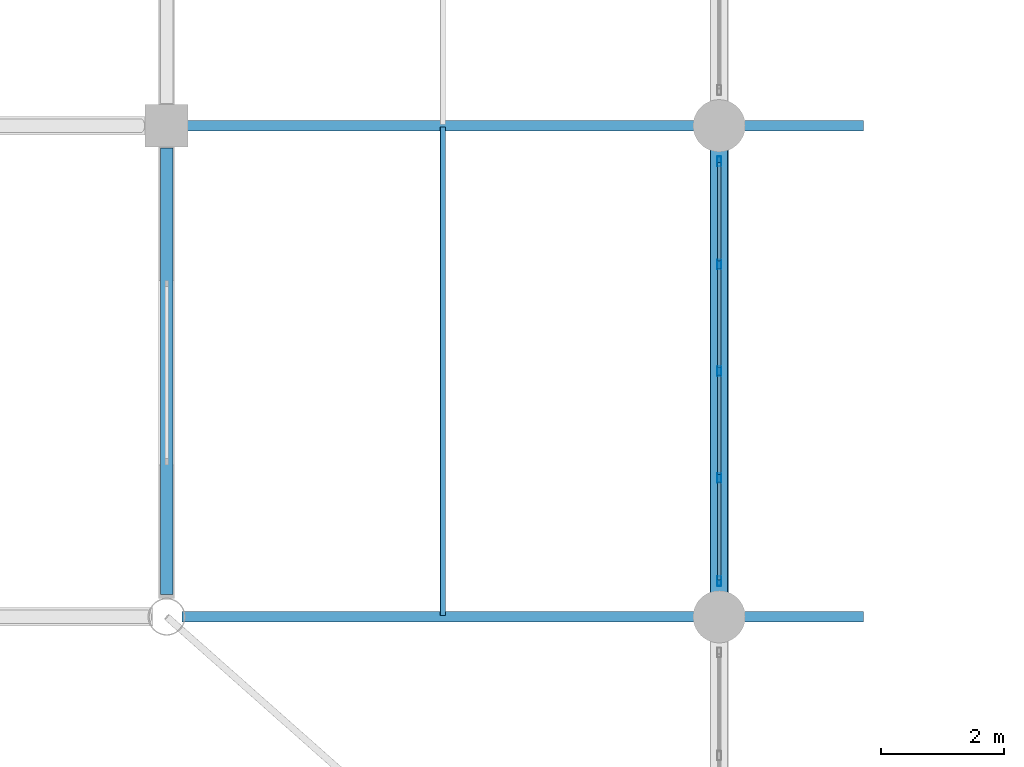
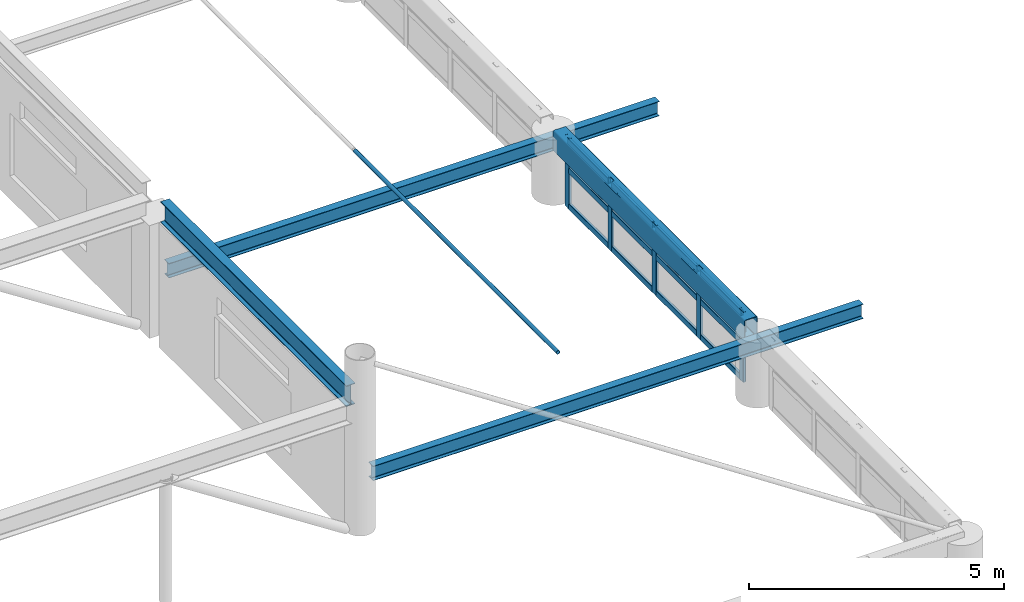
# One storey, part 36 of 128: 18 members, 4 beams, 1 element without a shape of its own.
"""IFC4 building model written with IfcOpenShell, lengths in metres."""

from ifc_helpers import new_model, si_unit, derived_unit, direction, frame, origin, origin_2d, place, context, subcontext, project, spatial, hollow_rectangle, hollow_circle, i_section, extrude, material, material_profile, profile_set, type_object, element, aggregate, save


model = new_model("IFC4")

# Units and contexts
model_context = context("Model", 3, precision=1e-05, world=origin(), true_north=direction((0.0, 1.0)))
body_context = subcontext(model_context, "Body", "Model", "MODEL_VIEW")
ifc_project = project(units=[si_unit("LENGTHUNIT", "METRE"), si_unit("AREAUNIT", "SQUARE_METRE"), si_unit("VOLUMEUNIT", "CUBIC_METRE"), si_unit("PLANEANGLEUNIT", "RADIAN"), si_unit("MASSUNIT", "GRAM", prefix="KILO"), derived_unit("THERMALTRANSMITTANCEUNIT", [(si_unit("MASSUNIT", "GRAM", prefix="KILO"), 1), (si_unit("TIMEUNIT", "SECOND"), -3), (si_unit("THERMODYNAMICTEMPERATUREUNIT", "KELVIN"), -1)])], contexts=[model_context])

# Site, building, storey
site_placement = place(None, origin())
site = spatial("IfcSite", under=ifc_project, at=site_placement, CompositionType="ELEMENT")
building_placement = place(site_placement, origin())
building = spatial("IfcBuilding", under=site, at=building_placement, Name="Zhenchuan Archway Interchange", CompositionType="ELEMENT")
storey_placement = place(building_placement, frame((0.0, 0.0, 14.39990234375)))
storey = spatial("IfcBuildingStorey", under=building, at=storey_placement, Name="L03", CompositionType="ELEMENT", Elevation=14.39990234375)

# Beams
ifc_material_1 = material(Name="Steel Q390", Category="steel")
ifc_material_profile_1 = material_profile(ifc_material_1, hollow_rectangle(XDim=0.300048828125, YDim=0.5, WallThickness=0.01611328125, InnerFilletRadius=0.01611328125, OuterFilletRadius=0.031982421875, at=origin_2d()), Name="RHS 500x300x16")
ifc_profile_set_1 = profile_set([ifc_material_profile_1], Name="Steel Q390")
beam_type_1 = type_object("IfcBeamType", Name="BM_RING_RHS500", PredefinedType="BEAM", material=ifc_profile_set_1)
beam_1_placement = place(storey_placement, frame((72.0, 32.25, 1.4501953125), z_axis=(0.0, 1.0, 0.0), x_axis=(-1.0, 0.0, 0.0)))
element("IfcBeam", 1, at=beam_1_placement, inside=storey, type_object=beam_type_1, Name="CONCOURSE CABLE-NET RING BEAM E-2", PredefinedType="BEAM", context=body_context, shape_type="SweptSolid", body=[
    extrude(hollow_rectangle(XDim=0.300048828125, YDim=0.5, WallThickness=0.01611328125, InnerFilletRadius=0.01611328125, OuterFilletRadius=0.031982421875, at=origin_2d()), origin(), (0.0, 0.0, 1.0), 7.5),
])
ifc_material_2 = material(Name="Steel Q355", Category="steel")
ifc_material_profile_2 = material_profile(ifc_material_2, i_section(OverallWidth=0.175048828125, OverallDepth=0.35009765625, WebThickness=0.007080078125, FlangeThickness=0.010986328125, FilletRadius=0.013916015625, at=origin_2d()), Name="HN 350x175")
ifc_profile_set_2 = profile_set([ifc_material_profile_2], Name="Steel Q355")
beam_type_2 = type_object("IfcBeamType", Name="BM_STL_EAVE_HN350", PredefinedType="BEAM", material=ifc_profile_set_2)
for number, where, z_axis, x_axis, name in (
    (2, (63.25, 32.0, 1.25), (1.0, 0.0, 0.0), (0.0, 1.0, 0.0), "Concourse east storm-eave continuous rafter 2"),
    (3, (63.25, 40.0, 1.25), (1.0, 0.0, 0.0), (0.0, 1.0, 0.0), "Concourse east storm-eave continuous rafter 3"),
):
    element("IfcBeam", number, at=place(storey_placement, frame(where, z_axis=z_axis, x_axis=x_axis)), inside=storey, type_object=beam_type_2, Name=name, PredefinedType="BEAM", context=body_context, shape_type="SweptSolid", body=[
        extrude(i_section(OverallWidth=0.175048828125, OverallDepth=0.35009765625, WebThickness=0.007080078125, FlangeThickness=0.010986328125, FilletRadius=0.013916015625, at=origin_2d()), origin(), (0.0, 0.0, 1.0), 11.10009765625),
    ])
ifc_material_profile_3 = material_profile(ifc_material_2, i_section(OverallWidth=0.199951171875, OverallDepth=0.5, WebThickness=0.010009765625, FlangeThickness=0.01611328125, FilletRadius=0.02001953125, at=origin_2d()), Name="HN 500x200")
ifc_profile_set_3 = profile_set([ifc_material_profile_3], Name="Steel Q355")
beam_type_3 = type_object("IfcBeamType", Name="BM_STL_HN500", PredefinedType="BEAM", material=ifc_profile_set_3)
beam_2_placement = place(storey_placement, frame((63.0, 32.360107421875, 2.9501953125), z_axis=(0.0, 1.0, 0.0), x_axis=(-1.0, 0.0, 0.0)))
element("IfcBeam", 4, at=beam_2_placement, inside=storey, type_object=beam_type_3, Name="Concourse clerestory header beam E 32-40", PredefinedType="BEAM", context=body_context, shape_type="SweptSolid", body=[
    extrude(i_section(OverallWidth=0.199951171875, OverallDepth=0.5, WebThickness=0.010009765625, FlangeThickness=0.01611328125, FilletRadius=0.02001953125, at=origin_2d()), origin(), (0.0, 0.0, 1.0), 7.27978515625),
])

# Curtain wall, members
ifc_material_3 = material(Name="Anodised Aluminium", Category="aluminium")
curtain_wall_type = type_object("IfcCurtainWallType", Name="CW_UNIT_3", PredefinedType="NOTDEFINED", material=ifc_material_3)
curtain_wall_placement = place(storey_placement, origin())
curtain_wall = element("IfcCurtainWall", 5, at=curtain_wall_placement, inside=storey, type_object=curtain_wall_type, Name="Unitised curtain wall CW:L03:RING-E2", PredefinedType="NOTDEFINED")
ifc_material_profile_4 = material_profile(ifc_material_3, hollow_rectangle(XDim=0.06005859375, YDim=0.159912109375, WallThickness=0.00390625, InnerFilletRadius=0.00390625, OuterFilletRadius=0.008056640625, at=origin_2d()), Name="ALU 160x60x4")
ifc_profile_set_4 = profile_set([ifc_material_profile_4], Name="Anodised Aluminium")
member_type_1 = type_object("IfcMemberType", Name="CW_MUL_150", PredefinedType="MULLION", material=ifc_profile_set_4)
member_1_placement = place(storey_placement, frame((72.0, 32.580078125, 0.02001953125), z_axis=(0.0, 0.0, 1.0), x_axis=(1.0, 0.0, 0.0)))
member_1 = element("IfcMember", 6, at=member_1_placement, type_object=member_type_1, Name="CW:L03:RING-E2 mullion 0", PredefinedType="MULLION", context=body_context, shape_type="SweptSolid", body=[
    extrude(hollow_rectangle(XDim=0.06005859375, YDim=0.159912109375, WallThickness=0.00390625, InnerFilletRadius=0.00390625, OuterFilletRadius=0.008056640625, at=origin_2d()), origin(), (0.0, 0.0, 1.0), 1.68017578125),
])
member_2_placement = place(storey_placement, frame((72.0, 34.260009765625, 0.02001953125), z_axis=(0.0, 0.0, 1.0), x_axis=(1.0, 0.0, 0.0)))
member_2 = element("IfcMember", 7, at=member_2_placement, type_object=member_type_1, Name="CW:L03:RING-E2 mullion 1", PredefinedType="MULLION", context=body_context, shape_type="SweptSolid", body=[
    extrude(hollow_rectangle(XDim=0.06005859375, YDim=0.159912109375, WallThickness=0.00390625, InnerFilletRadius=0.00390625, OuterFilletRadius=0.008056640625, at=origin_2d()), origin(), (0.0, 0.0, 1.0), 1.68017578125),
])
member_3_placement = place(storey_placement, frame((72.0, 36.0, 0.02001953125), z_axis=(0.0, 0.0, 1.0), x_axis=(1.0, 0.0, 0.0)))
member_3 = element("IfcMember", 8, at=member_3_placement, type_object=member_type_1, Name="CW:L03:RING-E2 mullion 2", PredefinedType="MULLION", context=body_context, shape_type="SweptSolid", body=[
    extrude(hollow_rectangle(XDim=0.06005859375, YDim=0.159912109375, WallThickness=0.00390625, InnerFilletRadius=0.00390625, OuterFilletRadius=0.008056640625, at=origin_2d()), origin(), (0.0, 0.0, 1.0), 1.68017578125),
])
member_4_placement = place(storey_placement, frame((72.0, 37.739990234375, 0.02001953125), z_axis=(0.0, 0.0, 1.0), x_axis=(1.0, 0.0, 0.0)))
member_4 = element("IfcMember", 9, at=member_4_placement, type_object=member_type_1, Name="CW:L03:RING-E2 mullion 3", PredefinedType="MULLION", context=body_context, shape_type="SweptSolid", body=[
    extrude(hollow_rectangle(XDim=0.06005859375, YDim=0.159912109375, WallThickness=0.00390625, InnerFilletRadius=0.00390625, OuterFilletRadius=0.008056640625, at=origin_2d()), origin(), (0.0, 0.0, 1.0), 1.68017578125),
])
member_5_placement = place(storey_placement, frame((72.0, 39.419921875, 0.02001953125), z_axis=(0.0, 0.0, 1.0), x_axis=(1.0, 0.0, 0.0)))
member_5 = element("IfcMember", 10, at=member_5_placement, type_object=member_type_1, Name="CW:L03:RING-E2 mullion 4", PredefinedType="MULLION", context=body_context, shape_type="SweptSolid", body=[
    extrude(hollow_rectangle(XDim=0.06005859375, YDim=0.159912109375, WallThickness=0.00390625, InnerFilletRadius=0.00390625, OuterFilletRadius=0.008056640625, at=origin_2d()), origin(), (0.0, 0.0, 1.0), 1.68017578125),
])
ifc_material_profile_5 = material_profile(ifc_material_3, hollow_rectangle(XDim=0.06005859375, YDim=0.139892578125, WallThickness=0.00341796875, InnerFilletRadius=0.00341796875, OuterFilletRadius=0.007080078125, at=origin_2d()), Name="ALU 140x60x3.5")
ifc_profile_set_5 = profile_set([ifc_material_profile_5], Name="Anodised Aluminium")
member_type_2 = type_object("IfcMemberType", Name="CW_TRN_140", PredefinedType="USERDEFINED", material=ifc_profile_set_5)
member_6_placement = place(storey_placement, frame((72.0, 32.60009765625, 0.080078125), z_axis=(0.0, 1.0, 0.0), x_axis=(-1.0, 0.0, 0.0)))
member_6 = element("IfcMember", 11, at=member_6_placement, type_object=member_type_2, Name="CW:L03:RING-E2 transom 0-1", ObjectType="TRANSOM", PredefinedType="USERDEFINED", context=body_context, shape_type="SweptSolid", body=[
    extrude(hollow_rectangle(XDim=0.06005859375, YDim=0.139892578125, WallThickness=0.00341796875, InnerFilletRadius=0.00341796875, OuterFilletRadius=0.007080078125, at=origin_2d()), origin(), (0.0, 0.0, 1.0), 1.599853515625),
])
member_7_placement = place(storey_placement, frame((72.0, 32.60009765625, 0.93310546875), z_axis=(0.0, 1.0, 0.0), x_axis=(-1.0, 0.0, 0.0)))
member_7 = element("IfcMember", 12, at=member_7_placement, type_object=member_type_2, Name="CW:L03:RING-E2 transom 0-2", ObjectType="TRANSOM", PredefinedType="USERDEFINED", context=body_context, shape_type="SweptSolid", body=[
    extrude(hollow_rectangle(XDim=0.06005859375, YDim=0.139892578125, WallThickness=0.00341796875, InnerFilletRadius=0.00341796875, OuterFilletRadius=0.007080078125, at=origin_2d()), origin(), (0.0, 0.0, 1.0), 1.599853515625),
])
member_8_placement = place(storey_placement, frame((72.0, 32.60009765625, 1.6201171875), z_axis=(0.0, 1.0, 0.0), x_axis=(-1.0, 0.0, 0.0)))
member_8 = element("IfcMember", 13, at=member_8_placement, type_object=member_type_2, Name="CW:L03:RING-E2 transom 0-3", ObjectType="TRANSOM", PredefinedType="USERDEFINED", context=body_context, shape_type="SweptSolid", body=[
    extrude(hollow_rectangle(XDim=0.06005859375, YDim=0.139892578125, WallThickness=0.00341796875, InnerFilletRadius=0.00341796875, OuterFilletRadius=0.007080078125, at=origin_2d()), origin(), (0.0, 0.0, 1.0), 1.599853515625),
])
member_9_placement = place(storey_placement, frame((72.0, 34.320068359375, 0.080078125), z_axis=(0.0, 1.0, 0.0), x_axis=(-1.0, 0.0, 0.0)))
member_9 = element("IfcMember", 14, at=member_9_placement, type_object=member_type_2, Name="CW:L03:RING-E2 transom 1-1", ObjectType="TRANSOM", PredefinedType="USERDEFINED", context=body_context, shape_type="SweptSolid", body=[
    extrude(hollow_rectangle(XDim=0.06005859375, YDim=0.139892578125, WallThickness=0.00341796875, InnerFilletRadius=0.00341796875, OuterFilletRadius=0.007080078125, at=origin_2d()), origin(), (0.0, 0.0, 1.0), 1.619873046875),
])
member_10_placement = place(storey_placement, frame((72.0, 34.320068359375, 0.93310546875), z_axis=(0.0, 1.0, 0.0), x_axis=(-1.0, 0.0, 0.0)))
member_10 = element("IfcMember", 15, at=member_10_placement, type_object=member_type_2, Name="CW:L03:RING-E2 transom 1-2", ObjectType="TRANSOM", PredefinedType="USERDEFINED", context=body_context, shape_type="SweptSolid", body=[
    extrude(hollow_rectangle(XDim=0.06005859375, YDim=0.139892578125, WallThickness=0.00341796875, InnerFilletRadius=0.00341796875, OuterFilletRadius=0.007080078125, at=origin_2d()), origin(), (0.0, 0.0, 1.0), 1.619873046875),
])
member_11_placement = place(storey_placement, frame((72.0, 34.320068359375, 1.6201171875), z_axis=(0.0, 1.0, 0.0), x_axis=(-1.0, 0.0, 0.0)))
member_11 = element("IfcMember", 16, at=member_11_placement, type_object=member_type_2, Name="CW:L03:RING-E2 transom 1-3", ObjectType="TRANSOM", PredefinedType="USERDEFINED", context=body_context, shape_type="SweptSolid", body=[
    extrude(hollow_rectangle(XDim=0.06005859375, YDim=0.139892578125, WallThickness=0.00341796875, InnerFilletRadius=0.00341796875, OuterFilletRadius=0.007080078125, at=origin_2d()), origin(), (0.0, 0.0, 1.0), 1.619873046875),
])
member_12_placement = place(storey_placement, frame((72.0, 36.06005859375, 0.080078125), z_axis=(0.0, 1.0, 0.0), x_axis=(-1.0, 0.0, 0.0)))
member_12 = element("IfcMember", 17, at=member_12_placement, type_object=member_type_2, Name="CW:L03:RING-E2 transom 2-1", ObjectType="TRANSOM", PredefinedType="USERDEFINED", context=body_context, shape_type="SweptSolid", body=[
    extrude(hollow_rectangle(XDim=0.06005859375, YDim=0.139892578125, WallThickness=0.00341796875, InnerFilletRadius=0.00341796875, OuterFilletRadius=0.007080078125, at=origin_2d()), origin(), (0.0, 0.0, 1.0), 1.619873046875),
])
member_13_placement = place(storey_placement, frame((72.0, 36.06005859375, 0.93310546875), z_axis=(0.0, 1.0, 0.0), x_axis=(-1.0, 0.0, 0.0)))
member_13 = element("IfcMember", 18, at=member_13_placement, type_object=member_type_2, Name="CW:L03:RING-E2 transom 2-2", ObjectType="TRANSOM", PredefinedType="USERDEFINED", context=body_context, shape_type="SweptSolid", body=[
    extrude(hollow_rectangle(XDim=0.06005859375, YDim=0.139892578125, WallThickness=0.00341796875, InnerFilletRadius=0.00341796875, OuterFilletRadius=0.007080078125, at=origin_2d()), origin(), (0.0, 0.0, 1.0), 1.619873046875),
])
member_14_placement = place(storey_placement, frame((72.0, 36.06005859375, 1.6201171875), z_axis=(0.0, 1.0, 0.0), x_axis=(-1.0, 0.0, 0.0)))
member_14 = element("IfcMember", 19, at=member_14_placement, type_object=member_type_2, Name="CW:L03:RING-E2 transom 2-3", ObjectType="TRANSOM", PredefinedType="USERDEFINED", context=body_context, shape_type="SweptSolid", body=[
    extrude(hollow_rectangle(XDim=0.06005859375, YDim=0.139892578125, WallThickness=0.00341796875, InnerFilletRadius=0.00341796875, OuterFilletRadius=0.007080078125, at=origin_2d()), origin(), (0.0, 0.0, 1.0), 1.619873046875),
])
member_15_placement = place(storey_placement, frame((72.0, 37.800048828125, 0.080078125), z_axis=(0.0, 1.0, 0.0), x_axis=(-1.0, 0.0, 0.0)))
member_15 = element("IfcMember", 20, at=member_15_placement, type_object=member_type_2, Name="CW:L03:RING-E2 transom 3-1", ObjectType="TRANSOM", PredefinedType="USERDEFINED", context=body_context, shape_type="SweptSolid", body=[
    extrude(hollow_rectangle(XDim=0.06005859375, YDim=0.139892578125, WallThickness=0.00341796875, InnerFilletRadius=0.00341796875, OuterFilletRadius=0.007080078125, at=origin_2d()), origin(), (0.0, 0.0, 1.0), 1.599853515625),
])
member_16_placement = place(storey_placement, frame((72.0, 37.800048828125, 0.93310546875), z_axis=(0.0, 1.0, 0.0), x_axis=(-1.0, 0.0, 0.0)))
member_16 = element("IfcMember", 21, at=member_16_placement, type_object=member_type_2, Name="CW:L03:RING-E2 transom 3-2", ObjectType="TRANSOM", PredefinedType="USERDEFINED", context=body_context, shape_type="SweptSolid", body=[
    extrude(hollow_rectangle(XDim=0.06005859375, YDim=0.139892578125, WallThickness=0.00341796875, InnerFilletRadius=0.00341796875, OuterFilletRadius=0.007080078125, at=origin_2d()), origin(), (0.0, 0.0, 1.0), 1.599853515625),
])
member_17_placement = place(storey_placement, frame((72.0, 37.800048828125, 1.6201171875), z_axis=(0.0, 1.0, 0.0), x_axis=(-1.0, 0.0, 0.0)))
member_17 = element("IfcMember", 22, at=member_17_placement, type_object=member_type_2, Name="CW:L03:RING-E2 transom 3-3", ObjectType="TRANSOM", PredefinedType="USERDEFINED", context=body_context, shape_type="SweptSolid", body=[
    extrude(hollow_rectangle(XDim=0.06005859375, YDim=0.139892578125, WallThickness=0.00341796875, InnerFilletRadius=0.00341796875, OuterFilletRadius=0.007080078125, at=origin_2d()), origin(), (0.0, 0.0, 1.0), 1.599853515625),
])
aggregate(curtain_wall, [member_1, member_2, member_3, member_4, member_5, member_6, member_7, member_8, member_9, member_10, member_11, member_12, member_13, member_14, member_15, member_16, member_17])

# Member
ifc_material_profile_6 = material_profile(ifc_material_1, hollow_circle(Radius=0.04443359375, WallThickness=0.006103515625, at=origin_2d()), Name="CHS 89x6")
ifc_profile_set_6 = profile_set([ifc_material_profile_6], Name="Steel Q390")
member_type_3 = type_object("IfcMemberType", Name="MB_CBL_CHS89", PredefinedType="USERDEFINED", material=ifc_profile_set_6)
member_18_placement = place(storey_placement, frame((67.5, 32.02001953125, 2.60009765625), z_axis=(0.0, 1.0, 0.0), x_axis=(-1.0, 0.0, 0.0)))
element("IfcMember", 23, at=member_18_placement, inside=storey, type_object=member_type_3, Name="CONCOURSE ROOF CABLE longitudinal net strand 1-6", ObjectType="CABLE", PredefinedType="USERDEFINED", context=body_context, shape_type="SweptSolid", body=[
    extrude(hollow_circle(Radius=0.04443359375, WallThickness=0.006103515625, at=origin_2d()), origin(), (0.0, 0.0, 1.0), 7.9599609375),
])

save(model, "model.ifc")
